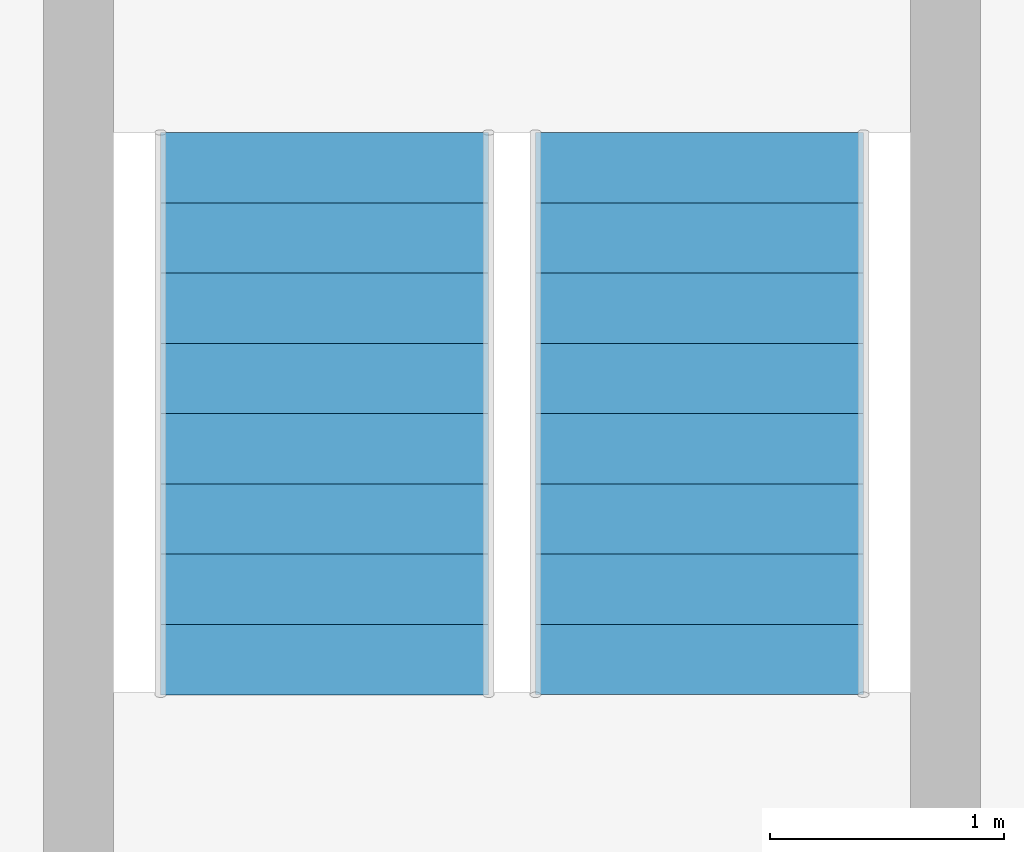
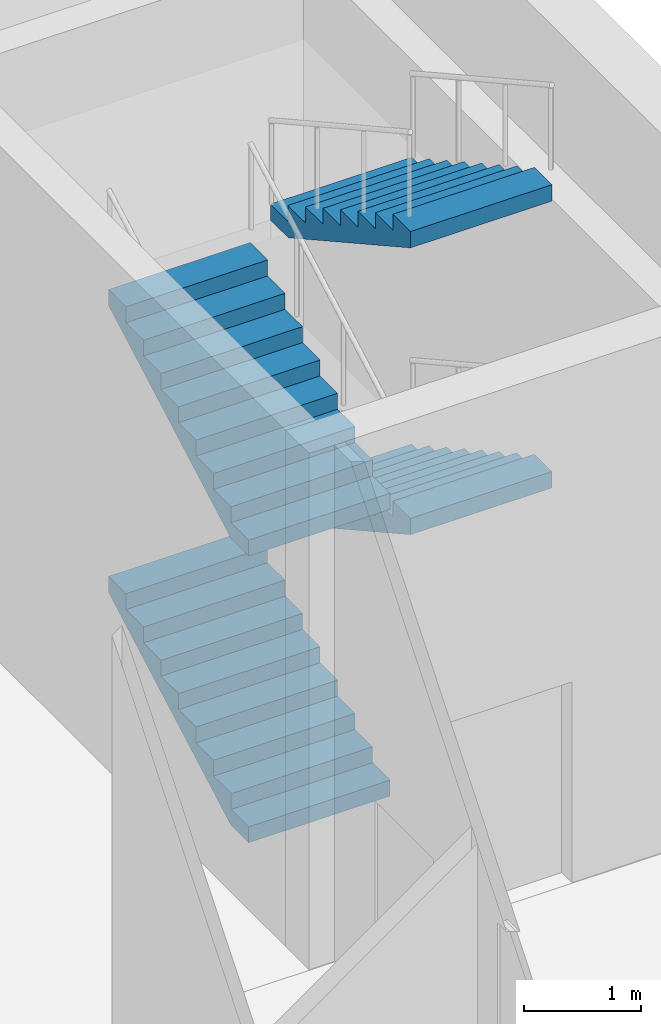
# One storey, part 7 of 11: 4 stair flights, 1 element without a shape of its own.
"""IFC4 building model written with IfcOpenShell, lengths in metres."""

from ifc_helpers import new_model, si_unit, direction, frame, origin, place, context, subcontext, project, spatial, polyline, outline, extrude, material, type_object, element, aggregate, save


model = new_model("IFC4")

# Units and contexts
model_context = context("Model", 3, precision=1e-05, world=origin(), true_north=direction((0.0, 1.0)))
body_context = subcontext(model_context, "Body", "Model", "MODEL_VIEW")
ifc_project = project(units=[si_unit("LENGTHUNIT", "METRE"), si_unit("AREAUNIT", "SQUARE_METRE"), si_unit("VOLUMEUNIT", "CUBIC_METRE"), si_unit("PLANEANGLEUNIT", "RADIAN"), si_unit("MASSUNIT", "GRAM", prefix="KILO")], contexts=[model_context])

# Site, building, storey
site_placement = place(None, origin())
site = spatial("IfcSite", under=ifc_project, at=site_placement, CompositionType="ELEMENT")
building_placement = place(site_placement, origin())
building = spatial("IfcBuilding", under=site, at=building_placement, Name="Calvaro Tower", CompositionType="ELEMENT")
storey_placement = place(building_placement, frame((0.0, 0.0, 265.949951171875)))
storey = spatial("IfcBuildingStorey", under=building, at=storey_placement, Name="L67", CompositionType="ELEMENT", Elevation=265.949951171875)

# Stair, stair flights
ifc_material_1 = material(Name="Concrete C40/50", Category="concrete")
stair_type = type_object("IfcStairType", Name="Exit stair 1400 4 flights", PredefinedType="DOUBLE_RETURN_STAIR", material=ifc_material_1)
stair_placement = place(storey_placement, origin())
stair = element("IfcStair", 1, at=stair_placement, inside=storey, type_object=stair_type, Name="Exit stair S5", PredefinedType="DOUBLE_RETURN_STAIR")
ifc_material_2 = material(Name="Concrete C40/50", Category="concrete")
stair_flight_type = type_object("IfcStairFlightType", Name="Stair flight", PredefinedType="STRAIGHT", material=ifc_material_2)
stair_flight_1_placement = place(storey_placement, frame((61.699951171875, 29.89990234375, 0.0), z_axis=(0.0, 0.0, 1.0), x_axis=(0.0, 1.0, 0.0)))
stair_flight_1 = element("IfcStairFlight", 2, at=stair_flight_1_placement, type_object=stair_flight_type, Name="Exit stair 5, flight 1", NumberOfRisers=9, NumberOfTreads=8, PredefinedType="STRAIGHT", RiserHeight=0.166666667, TreadLength=0.3, context=body_context, shape_type="SweptSolid", body=[
    extrude(outline(polyline([(0.0, 0.0), (0.0, 0.166748046875), (0.300048828125, 0.166748046875), (0.300048828125, 0.333251953125), (0.60009765625, 0.333251953125), (0.60009765625, 0.5), (0.89990234375, 0.5), (0.89990234375, 0.666748046875), (1.199951171875, 0.666748046875), (1.199951171875, 0.833251953125), (1.5, 0.833251953125), (1.5, 1.0), (1.800048828125, 1.0), (1.800048828125, 1.166748046875), (2.10009765625, 1.166748046875), (2.10009765625, 1.333251953125), (2.39990234375, 1.333251953125), (2.39990234375, 1.5), (2.39990234375, 1.161865234375), (0.30859375, 0.0), (0.0, 0.0)])), frame((0.0, 0.699951171875, 0.0), z_axis=(0.0, -1.0, 0.0), x_axis=(1.0, 0.0, 0.0)), (0.0, 0.0, 1.0), 1.39990234375),
])
stair_flight_2_placement = place(storey_placement, frame((63.300048828125, 32.300048828125, 1.5), z_axis=(0.0, 0.0, 1.0), x_axis=(0.0, -1.0, 0.0)))
stair_flight_2 = element("IfcStairFlight", 3, at=stair_flight_2_placement, type_object=stair_flight_type, Name="Exit stair 5, flight 2", NumberOfRisers=9, NumberOfTreads=8, PredefinedType="STRAIGHT", RiserHeight=0.166666667, TreadLength=0.3, context=body_context, shape_type="SweptSolid", body=[
    extrude(outline(polyline([(0.0, 0.0), (0.0, 0.166748046875), (0.300048828125, 0.166748046875), (0.300048828125, 0.333251953125), (0.60009765625, 0.333251953125), (0.60009765625, 0.5), (0.89990234375, 0.5), (0.89990234375, 0.666748046875), (1.199951171875, 0.666748046875), (1.199951171875, 0.833251953125), (1.5, 0.833251953125), (1.5, 1.0), (1.800048828125, 1.0), (1.800048828125, 1.166748046875), (2.10009765625, 1.166748046875), (2.10009765625, 1.333251953125), (2.39990234375, 1.333251953125), (2.39990234375, 1.5), (2.39990234375, 1.161865234375), (0.30859375, 0.0), (0.0, 0.0)])), frame((0.0, 0.699951171875, 0.0), z_axis=(0.0, -1.0, 0.0), x_axis=(1.0, 0.0, 0.0)), (0.0, 0.0, 1.0), 1.39990234375),
])
stair_flight_3_placement = place(storey_placement, frame((61.699951171875, 29.89990234375, 3.0), z_axis=(0.0, 0.0, 1.0), x_axis=(0.0, 1.0, 0.0)))
stair_flight_3 = element("IfcStairFlight", 4, at=stair_flight_3_placement, type_object=stair_flight_type, Name="Exit stair 5, flight 3", NumberOfRisers=9, NumberOfTreads=8, PredefinedType="STRAIGHT", RiserHeight=0.166666667, TreadLength=0.3, context=body_context, shape_type="SweptSolid", body=[
    extrude(outline(polyline([(0.0, 0.0), (0.0, 0.166748046875), (0.300048828125, 0.166748046875), (0.300048828125, 0.333251953125), (0.60009765625, 0.333251953125), (0.60009765625, 0.5), (0.89990234375, 0.5), (0.89990234375, 0.666748046875), (1.199951171875, 0.666748046875), (1.199951171875, 0.833251953125), (1.5, 0.833251953125), (1.5, 1.0), (1.800048828125, 1.0), (1.800048828125, 1.166748046875), (2.10009765625, 1.166748046875), (2.10009765625, 1.333251953125), (2.39990234375, 1.333251953125), (2.39990234375, 1.5), (2.39990234375, 1.161865234375), (0.30859375, 0.0), (0.0, 0.0)])), frame((0.0, 0.699951171875, 0.0), z_axis=(0.0, -1.0, 0.0), x_axis=(1.0, 0.0, 0.0)), (0.0, 0.0, 1.0), 1.39990234375),
])
stair_flight_4_placement = place(storey_placement, frame((63.300048828125, 32.300048828125, 4.5), z_axis=(0.0, 0.0, 1.0), x_axis=(0.0, -1.0, 0.0)))
stair_flight_4 = element("IfcStairFlight", 5, at=stair_flight_4_placement, type_object=stair_flight_type, Name="Exit stair 5, flight 4", NumberOfRisers=9, NumberOfTreads=8, PredefinedType="STRAIGHT", RiserHeight=0.166666667, TreadLength=0.3, context=body_context, shape_type="SweptSolid", body=[
    extrude(outline(polyline([(0.0, 0.0), (0.0, 0.166748046875), (0.300048828125, 0.166748046875), (0.300048828125, 0.333251953125), (0.60009765625, 0.333251953125), (0.60009765625, 0.5), (0.89990234375, 0.5), (0.89990234375, 0.666748046875), (1.199951171875, 0.666748046875), (1.199951171875, 0.833251953125), (1.5, 0.833251953125), (1.5, 1.0), (1.800048828125, 1.0), (1.800048828125, 1.166748046875), (2.10009765625, 1.166748046875), (2.10009765625, 1.333251953125), (2.39990234375, 1.333251953125), (2.39990234375, 1.5), (2.39990234375, 1.161865234375), (0.30859375, 0.0), (0.0, 0.0)])), frame((0.0, 0.699951171875, 0.0), z_axis=(0.0, -1.0, 0.0), x_axis=(1.0, 0.0, 0.0)), (0.0, 0.0, 1.0), 1.39990234375),
])
aggregate(stair, [stair_flight_1, stair_flight_2, stair_flight_3, stair_flight_4])

save(model, "model.ifc")
